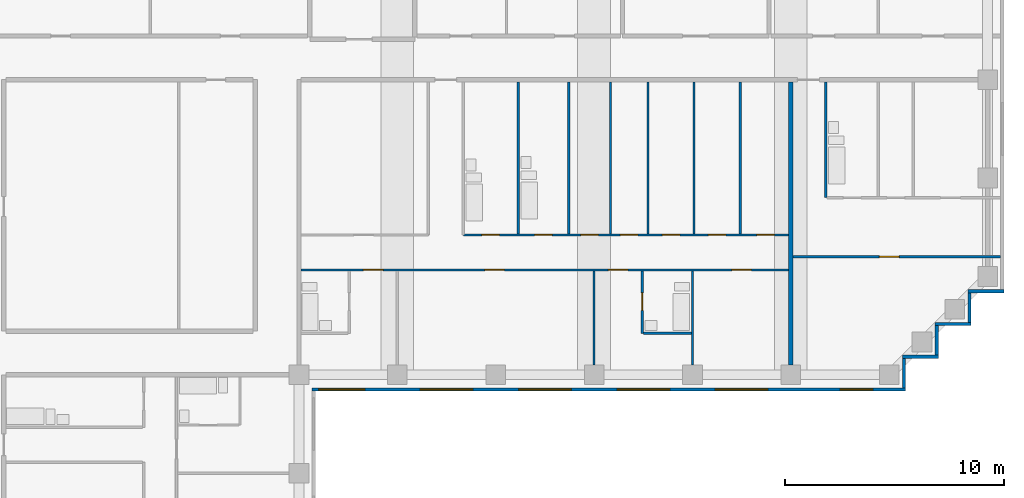
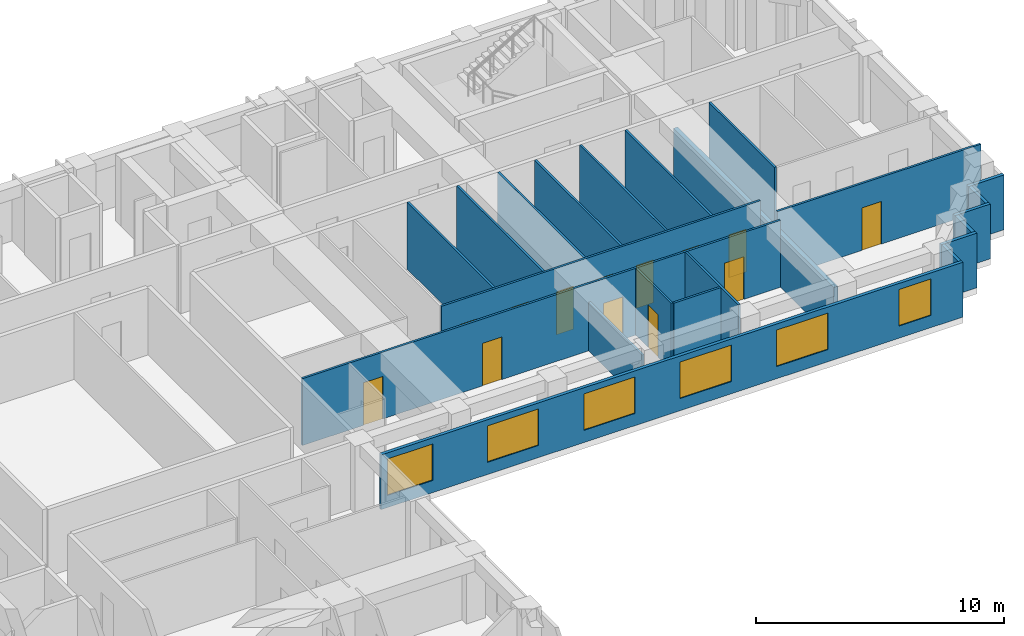
# One storey, part 4 of 9: 22 walls, 13 doors, 6 windows, 19 openings.
"""IFC4 building model written with IfcOpenShell, lengths in metres."""

from ifc_helpers import new_model, si_unit, direction, frame, frame_2d, origin, place, context, subcontext, project, spatial, rectangle, extrude, material, layer, layer_set, type_object, element, fill, save


model = new_model("IFC4")

# Units and contexts
model_context = context("Model", 3, precision=1e-05, world=origin(), true_north=direction((0.0, 1.0)))
body_context = subcontext(model_context, "Body", "Model", "MODEL_VIEW")
ifc_project = project(units=[si_unit("LENGTHUNIT", "METRE"), si_unit("AREAUNIT", "SQUARE_METRE"), si_unit("VOLUMEUNIT", "CUBIC_METRE"), si_unit("PLANEANGLEUNIT", "RADIAN"), si_unit("MASSUNIT", "GRAM", prefix="KILO")], contexts=[model_context])

# Site, building, storey
site_placement = place(None, origin())
site = spatial("IfcSite", under=ifc_project, at=site_placement, CompositionType="ELEMENT")
building_placement = place(site_placement, origin())
building = spatial("IfcBuilding", under=site, at=building_placement, Name="Firuza Court", CompositionType="ELEMENT")
storey_placement = place(building_placement, frame((0.0, 0.0, 225.800048828125)))
storey = spatial("IfcBuildingStorey", under=building, at=storey_placement, Name="L58", CompositionType="ELEMENT", Elevation=225.800048828125)

# Wall, opening, door
ifc_material_1 = material(Name="Moisture-resistant gypsum board partition")
ifc_layer_1 = layer(ifc_material_1, 0.10009765625)
ifc_layer_set_1 = layer_set([ifc_layer_1], Name="Moisture-resistant gypsum board partition")
wall_type_1 = type_object("IfcWallType", Name="Bathroom partition 100", PredefinedType="PLUMBINGWALL", material=ifc_layer_set_1)
wall_1_placement = place(storey_placement, frame((38.199951171875, 37.89990234375, 0.0), z_axis=(0.0, 0.0, 1.0), x_axis=(0.0, 1.0, 0.0)))
wall_1 = element("IfcWall", 1, at=wall_1_placement, inside=storey, type_object=wall_type_1, Name="Bathroom partition 100 L58", PredefinedType="PLUMBINGWALL", context=body_context, shape_type="SweptSolid", body=[
    extrude(rectangle(XDim=2.85009765625, YDim=0.10009765625, at=frame_2d((1.425048828125, 0.0))), origin(), (0.0, 0.0, 1.0), 3.300048828125),
])
opening_1_placement = place(wall_1_placement, frame((1.050048828125, 0.0, 0.0)))
opening_1 = element("IfcOpeningElement", 2, at=opening_1_placement, cuts=wall_1, Name="Opening D58027", PredefinedType="OPENING", context=body_context, shape_type="SweptSolid", body=[
    extrude(rectangle(XDim=0.800048828125, YDim=2.10009765625, at=frame_2d((0.39990234375, 1.050048828125))), frame((0.0, 0.06201171875, 0.0), z_axis=(0.0, -1.0, 0.0), x_axis=(1.0, 0.0, 0.0)), (0.0, 0.0, 1.0), 0.1240234375),
])
ifc_material_2 = material(Name="Timber door leaf in hardwood frame", Category="wood")
door_type_1 = type_object("IfcDoorType", Name="Bathroom door 800", OperationType="SINGLE_SWING_LEFT", PredefinedType="DOOR", material=ifc_material_2)
door_1_placement = place(opening_1_placement, frame((0.800048828125, 0.0, 0.0), z_axis=(0.0, 0.0, 1.0), x_axis=(-1.0, 0.0, 0.0)))
door_1 = element("IfcDoor", 3, at=door_1_placement, inside=storey, type_object=door_type_1, Name="En-suite door", OperationType="SINGLE_SWING_RIGHT", OverallHeight=2.10009765625, OverallWidth=0.800048828125, PredefinedType="DOOR", context=body_context, shape_type="SweptSolid", body=[
    extrude(rectangle(XDim=0.800048828125, YDim=2.10009765625, at=frame_2d((0.39990234375, 1.050048828125))), frame((0.0, 0.02490234375, 0.0), z_axis=(0.0, -1.0, 0.0), x_axis=(1.0, 0.0, 0.0)), (0.0, 0.0, 1.0), 0.050048828125),
])
fill(opening_1, door_1)

# Walls
wall_2_placement = place(storey_placement, frame((38.25, 37.89990234375, 0.0), z_axis=(0.0, 0.0, 1.0), x_axis=(1.0, 0.0, 0.0)))
element("IfcWall", 4, at=wall_2_placement, inside=storey, type_object=wall_type_1, Name="Bathroom partition 100 L58", PredefinedType="PLUMBINGWALL", context=body_context, shape_type="SweptSolid", body=[
    extrude(rectangle(XDim=2.199951171875, YDim=0.10009765625, at=frame_2d((1.10009765625, 0.0))), origin(), (0.0, 0.0, 1.0), 3.300048828125),
])
for number, where, z_axis, x_axis, name in (
    (5, (32.528076171875, 42.449951171875, 0.0), (0.0, 0.0, 1.0), (0.0, 1.0, 0.0), "Bathroom partition 100 L58"),
    (6, (34.840087890625, 42.449951171875, 0.0), (0.0, 0.0, 1.0), (0.0, 1.0, 0.0), "Bathroom partition 100 L58"),
):
    element("IfcWall", number, at=place(storey_placement, frame(where, z_axis=z_axis, x_axis=x_axis)), inside=storey, type_object=wall_type_1, Name=name, PredefinedType="PLUMBINGWALL", context=body_context, shape_type="SweptSolid", body=[
        extrude(rectangle(XDim=6.949951171875, YDim=0.10009765625, at=frame_2d((3.47509765625, 0.0))), origin(), (0.0, 0.0, 1.0), 3.300048828125),
    ])
wall_3_placement = place(storey_placement, frame((46.60009765625, 44.10009765625, 0.0), z_axis=(0.0, 0.0, 1.0), x_axis=(0.0, 1.0, 0.0)))
element("IfcWall", 7, at=wall_3_placement, inside=storey, type_object=wall_type_1, Name="Bathroom partition 100 L58", PredefinedType="PLUMBINGWALL", context=body_context, shape_type="SweptSolid", body=[
    extrude(rectangle(XDim=5.2998046875, YDim=0.10009765625, at=frame_2d((2.64990234375, 0.0))), origin(), (0.0, 0.0, 1.0), 3.300048828125),
])
ifc_material_3 = material(Name="Timber stud partition, plasterboard both sides", Category="wood")
ifc_layer_2 = layer(ifc_material_3, 0.10009765625)
ifc_layer_set_2 = layer_set([ifc_layer_2], Name="Timber stud partition, plasterboard both sides")
wall_type_2 = type_object("IfcWallType", Name="Partition wall 100", PredefinedType="PARTITIONING", material=ifc_layer_set_2)
wall_4_placement = place(storey_placement, frame((36.0, 36.449951171875, 0.0), z_axis=(0.0, 0.0, 1.0), x_axis=(0.0, 1.0, 0.0)))
element("IfcWall", 8, at=wall_4_placement, inside=storey, type_object=wall_type_2, Name="Partition wall 100 L58", PredefinedType="PARTITIONING", context=body_context, shape_type="SweptSolid", body=[
    extrude(rectangle(XDim=4.300048828125, YDim=0.10009765625, at=frame_2d((2.14990234375, 0.0))), origin(), (0.0, 0.0, 1.0), 2.39990234375),
])
wall_5_placement = place(storey_placement, frame((40.5, 36.449951171875, 0.0), z_axis=(0.0, 0.0, 1.0), x_axis=(0.0, 1.0, 0.0)))
element("IfcWall", 9, at=wall_5_placement, inside=storey, type_object=wall_type_2, Name="Partition wall 100 L58", PredefinedType="PARTITIONING", context=body_context, shape_type="SweptSolid", body=[
    extrude(rectangle(XDim=4.300048828125, YDim=0.10009765625, at=frame_2d((2.14990234375, 0.0))), origin(), (0.0, 0.0, 1.0), 3.300048828125),
])

# Wall, openings, doors
wall_6_placement = place(storey_placement, frame((22.60009765625, 40.800048828125, 0.0), z_axis=(0.0, 0.0, 1.0), x_axis=(1.0, 0.0, 0.0)))
wall_6 = element("IfcWall", 10, at=wall_6_placement, inside=storey, type_object=wall_type_2, Name="Partition wall 100 L58", PredefinedType="PARTITIONING", context=body_context, shape_type="SweptSolid", body=[
    extrude(rectangle(XDim=22.2998046875, YDim=0.10009765625, at=frame_2d((11.14990234375, 0.0))), origin(), (0.0, 0.0, 1.0), 3.300048828125),
])
opening_2_placement = place(wall_6_placement, frame((2.85009765625, 0.0, 0.0)))
opening_2 = element("IfcOpeningElement", 11, at=opening_2_placement, cuts=wall_6, Name="Opening D58029", PredefinedType="OPENING", context=body_context, shape_type="SweptSolid", body=[
    extrude(rectangle(XDim=0.89990234375, YDim=2.10009765625, at=frame_2d((0.449951171875, 1.050048828125))), frame((0.0, 0.06201171875, 0.0), z_axis=(0.0, -1.0, 0.0), x_axis=(1.0, 0.0, 0.0)), (0.0, 0.0, 1.0), 0.1240234375),
])
opening_3_placement = place(wall_6_placement, frame((8.39990234375, 0.0, 0.0)))
opening_3 = element("IfcOpeningElement", 12, at=opening_3_placement, cuts=wall_6, Name="Opening D58030", PredefinedType="OPENING", context=body_context, shape_type="SweptSolid", body=[
    extrude(rectangle(XDim=0.89990234375, YDim=2.10009765625, at=frame_2d((0.449951171875, 1.050048828125))), frame((0.0, 0.06201171875, 0.0), z_axis=(0.0, -1.0, 0.0), x_axis=(1.0, 0.0, 0.0)), (0.0, 0.0, 1.0), 0.1240234375),
])
opening_4_placement = place(wall_6_placement, frame((14.050048828125, 0.0, 0.0)))
opening_4 = element("IfcOpeningElement", 13, at=opening_4_placement, cuts=wall_6, Name="Opening D58031", PredefinedType="OPENING", context=body_context, shape_type="SweptSolid", body=[
    extrude(rectangle(XDim=0.89990234375, YDim=2.10009765625, at=frame_2d((0.449951171875, 1.050048828125))), frame((0.0, 0.06201171875, 0.0), z_axis=(0.0, -1.0, 0.0), x_axis=(1.0, 0.0, 0.0)), (0.0, 0.0, 1.0), 0.1240234375),
])
opening_5_placement = place(wall_6_placement, frame((19.699951171875, 0.0, 0.0)))
opening_5 = element("IfcOpeningElement", 14, at=opening_5_placement, cuts=wall_6, Name="Opening D58032", PredefinedType="OPENING", context=body_context, shape_type="SweptSolid", body=[
    extrude(rectangle(XDim=0.89990234375, YDim=2.10009765625, at=frame_2d((0.449951171875, 1.050048828125))), frame((0.0, 0.06201171875, 0.0), z_axis=(0.0, -1.0, 0.0), x_axis=(1.0, 0.0, 0.0)), (0.0, 0.0, 1.0), 0.1240234375),
])
ifc_material_4 = material(Name="Timber door leaf in hardwood frame", Category="wood")
door_type_2 = type_object("IfcDoorType", Name="Room door 900", OperationType="SINGLE_SWING_LEFT", PredefinedType="DOOR", material=ifc_material_4)
door_2_placement = place(opening_2_placement, frame((0.89990234375, 0.0, 0.0), z_axis=(0.0, 0.0, 1.0), x_axis=(-1.0, 0.0, 0.0)))
door_2 = element("IfcDoor", 15, at=door_2_placement, inside=storey, type_object=door_type_2, Name="Bedroom door", OperationType="SINGLE_SWING_RIGHT", OverallHeight=2.10009765625, OverallWidth=0.89990234375, PredefinedType="DOOR", context=body_context, shape_type="SweptSolid", body=[
    extrude(rectangle(XDim=0.89990234375, YDim=2.10009765625, at=frame_2d((0.449951171875, 1.050048828125))), frame((0.0, 0.02490234375, 0.0), z_axis=(0.0, -1.0, 0.0), x_axis=(1.0, 0.0, 0.0)), (0.0, 0.0, 1.0), 0.050048828125),
])
fill(opening_2, door_2)
door_3_placement = place(opening_3_placement, frame((0.89990234375, 0.0, 0.0), z_axis=(0.0, 0.0, 1.0), x_axis=(-1.0, 0.0, 0.0)))
door_3 = element("IfcDoor", 16, at=door_3_placement, inside=storey, type_object=door_type_2, Name="Living room door", OperationType="SINGLE_SWING_RIGHT", OverallHeight=2.10009765625, OverallWidth=0.89990234375, PredefinedType="DOOR", context=body_context, shape_type="SweptSolid", body=[
    extrude(rectangle(XDim=0.89990234375, YDim=2.10009765625, at=frame_2d((0.449951171875, 1.050048828125))), frame((0.0, 0.02490234375, 0.0), z_axis=(0.0, -1.0, 0.0), x_axis=(1.0, 0.0, 0.0)), (0.0, 0.0, 1.0), 0.050048828125),
])
fill(opening_3, door_3)
door_4_placement = place(opening_4_placement, frame((0.89990234375, 0.0, 0.0), z_axis=(0.0, 0.0, 1.0), x_axis=(-1.0, 0.0, 0.0)))
door_4 = element("IfcDoor", 17, at=door_4_placement, inside=storey, type_object=door_type_2, Name="Bedroom door", OperationType="SINGLE_SWING_RIGHT", OverallHeight=2.10009765625, OverallWidth=0.89990234375, PredefinedType="DOOR", context=body_context, shape_type="SweptSolid", body=[
    extrude(rectangle(XDim=0.89990234375, YDim=2.10009765625, at=frame_2d((0.449951171875, 1.050048828125))), frame((0.0, 0.02490234375, 0.0), z_axis=(0.0, -1.0, 0.0), x_axis=(1.0, 0.0, 0.0)), (0.0, 0.0, 1.0), 0.050048828125),
])
fill(opening_4, door_4)
door_5_placement = place(opening_5_placement, frame((0.89990234375, 0.0, 0.0), z_axis=(0.0, 0.0, 1.0), x_axis=(-1.0, 0.0, 0.0)))
door_5 = element("IfcDoor", 18, at=door_5_placement, inside=storey, type_object=door_type_2, Name="Study door", OperationType="SINGLE_SWING_RIGHT", OverallHeight=2.10009765625, OverallWidth=0.89990234375, PredefinedType="DOOR", context=body_context, shape_type="SweptSolid", body=[
    extrude(rectangle(XDim=0.89990234375, YDim=2.10009765625, at=frame_2d((0.449951171875, 1.050048828125))), frame((0.0, 0.02490234375, 0.0), z_axis=(0.0, -1.0, 0.0), x_axis=(1.0, 0.0, 0.0)), (0.0, 0.0, 1.0), 0.050048828125),
])
fill(opening_5, door_5)

# Wall, opening, door
wall_7_placement = place(storey_placement, frame((45.10009765625, 41.39990234375, 0.0), z_axis=(0.0, 0.0, 1.0), x_axis=(1.0, 0.0, 0.0)))
wall_7 = element("IfcWall", 19, at=wall_7_placement, inside=storey, type_object=wall_type_2, Name="Partition wall 100 L58", PredefinedType="PARTITIONING", context=body_context, shape_type="SweptSolid", body=[
    extrude(rectangle(XDim=9.5, YDim=0.10009765625, at=frame_2d((4.75, 0.0))), origin(), (0.0, 0.0, 1.0), 3.300048828125),
])
opening_6_placement = place(wall_7_placement, frame((3.949951171875, 0.0, 0.0)))
opening_6 = element("IfcOpeningElement", 20, at=opening_6_placement, cuts=wall_7, Name="Opening D58033", PredefinedType="OPENING", context=body_context, shape_type="SweptSolid", body=[
    extrude(rectangle(XDim=0.89990234375, YDim=2.10009765625, at=frame_2d((0.449951171875, 1.050048828125))), frame((0.0, 0.06201171875, 0.0), z_axis=(0.0, -1.0, 0.0), x_axis=(1.0, 0.0, 0.0)), (0.0, 0.0, 1.0), 0.1240234375),
])
door_6_placement = place(opening_6_placement, frame((0.89990234375, 0.0, 0.0), z_axis=(0.0, 0.0, 1.0), x_axis=(-1.0, 0.0, 0.0)))
door_6 = element("IfcDoor", 21, at=door_6_placement, inside=storey, type_object=door_type_2, Name="Studio room door", OperationType="SINGLE_SWING_RIGHT", OverallHeight=2.10009765625, OverallWidth=0.89990234375, PredefinedType="DOOR", context=body_context, shape_type="SweptSolid", body=[
    extrude(rectangle(XDim=0.89990234375, YDim=2.10009765625, at=frame_2d((0.449951171875, 1.050048828125))), frame((0.0, 0.02490234375, 0.0), z_axis=(0.0, -1.0, 0.0), x_axis=(1.0, 0.0, 0.0)), (0.0, 0.0, 1.0), 0.050048828125),
])
fill(opening_6, door_6)

# Wall, openings, doors
wall_8_placement = place(storey_placement, frame((30.015380859375, 42.39990234375, 0.0), z_axis=(0.0, 0.0, 1.0), x_axis=(1.0, 0.0, 0.0)))
wall_8 = element("IfcWall", 22, at=wall_8_placement, inside=storey, type_object=wall_type_2, Name="Partition wall 100 L58", PredefinedType="PARTITIONING", context=body_context, shape_type="SweptSolid", body=[
    extrude(rectangle(XDim=14.884521484375, YDim=0.10009765625, at=frame_2d((7.4423828125, 0.0))), origin(), (0.0, 0.0, 1.0), 3.300048828125),
])
opening_7_placement = place(wall_8_placement, frame((0.85595703125, 0.0, 0.0)))
opening_7 = element("IfcOpeningElement", 23, at=opening_7_placement, cuts=wall_8, Name="Opening D58035", PredefinedType="OPENING", context=body_context, shape_type="SweptSolid", body=[
    extrude(rectangle(XDim=0.800048828125, YDim=2.10009765625, at=frame_2d((0.39990234375, 1.050048828125))), frame((0.0, 0.06201171875, 0.0), z_axis=(0.0, -1.0, 0.0), x_axis=(1.0, 0.0, 0.0)), (0.0, 0.0, 1.0), 0.1240234375),
])
opening_8_placement = place(wall_8_placement, frame((3.26806640625, 0.0, 0.0)))
opening_8 = element("IfcOpeningElement", 24, at=opening_8_placement, cuts=wall_8, Name="Opening D58036", PredefinedType="OPENING", context=body_context, shape_type="SweptSolid", body=[
    extrude(rectangle(XDim=0.800048828125, YDim=2.10009765625, at=frame_2d((0.39990234375, 1.050048828125))), frame((0.0, 0.06201171875, 0.0), z_axis=(0.0, -1.0, 0.0), x_axis=(1.0, 0.0, 0.0)), (0.0, 0.0, 1.0), 0.1240234375),
])
opening_9_placement = place(wall_8_placement, frame((13.428466796875, 0.0, 0.0)))
opening_9 = element("IfcOpeningElement", 25, at=opening_9_placement, cuts=wall_8, Name="Opening D58037", PredefinedType="OPENING", context=body_context, shape_type="SweptSolid", body=[
    extrude(rectangle(XDim=0.800048828125, YDim=2.10009765625, at=frame_2d((0.39990234375, 1.050048828125))), frame((0.0, 0.06201171875, 0.0), z_axis=(0.0, -1.0, 0.0), x_axis=(1.0, 0.0, 0.0)), (0.0, 0.0, 1.0), 0.1240234375),
])
opening_10_placement = place(wall_8_placement, frame((11.21630859375, 0.0, 0.0)))
opening_10 = element("IfcOpeningElement", 26, at=opening_10_placement, cuts=wall_8, Name="Opening D58038", PredefinedType="OPENING", context=body_context, shape_type="SweptSolid", body=[
    extrude(rectangle(XDim=0.800048828125, YDim=2.10009765625, at=frame_2d((0.39990234375, 1.050048828125))), frame((0.0, 0.06201171875, 0.0), z_axis=(0.0, -1.0, 0.0), x_axis=(1.0, 0.0, 0.0)), (0.0, 0.0, 1.0), 0.1240234375),
])
opening_11_placement = place(wall_8_placement, frame((7.192138671875, 0.0, 0.0)))
opening_11 = element("IfcOpeningElement", 27, at=opening_11_placement, cuts=wall_8, Name="Opening D58039", PredefinedType="OPENING", context=body_context, shape_type="SweptSolid", body=[
    extrude(rectangle(XDim=0.800048828125, YDim=2.10009765625, at=frame_2d((0.39990234375, 1.050048828125))), frame((0.0, 0.06201171875, 0.0), z_axis=(0.0, -1.0, 0.0), x_axis=(1.0, 0.0, 0.0)), (0.0, 0.0, 1.0), 0.1240234375),
])
opening_12_placement = place(wall_8_placement, frame((9.104248046875, 0.0, 0.0)))
opening_12 = element("IfcOpeningElement", 28, at=opening_12_placement, cuts=wall_8, Name="Opening D58040", PredefinedType="OPENING", context=body_context, shape_type="SweptSolid", body=[
    extrude(rectangle(XDim=0.800048828125, YDim=2.10009765625, at=frame_2d((0.39990234375, 1.050048828125))), frame((0.0, 0.06201171875, 0.0), z_axis=(0.0, -1.0, 0.0), x_axis=(1.0, 0.0, 0.0)), (0.0, 0.0, 1.0), 0.1240234375),
])
opening_13_placement = place(wall_8_placement, frame((5.380126953125, 0.0, 0.0)))
opening_13 = element("IfcOpeningElement", 29, at=opening_13_placement, cuts=wall_8, Name="Opening D58041", PredefinedType="OPENING", context=body_context, shape_type="SweptSolid", body=[
    extrude(rectangle(XDim=0.800048828125, YDim=2.10009765625, at=frame_2d((0.39990234375, 1.050048828125))), frame((0.0, 0.06201171875, 0.0), z_axis=(0.0, -1.0, 0.0), x_axis=(1.0, 0.0, 0.0)), (0.0, 0.0, 1.0), 0.1240234375),
])
door_7_placement = place(opening_7_placement, origin())
door_7 = element("IfcDoor", 30, at=door_7_placement, inside=storey, type_object=door_type_1, Name="Bathroom door", OperationType="SINGLE_SWING_LEFT", OverallHeight=2.10009765625, OverallWidth=0.800048828125, PredefinedType="DOOR", context=body_context, shape_type="SweptSolid", body=[
    extrude(rectangle(XDim=0.800048828125, YDim=2.10009765625, at=frame_2d((0.39990234375, 1.050048828125))), frame((0.0, 0.02490234375, 0.0), z_axis=(0.0, -1.0, 0.0), x_axis=(1.0, 0.0, 0.0)), (0.0, 0.0, 1.0), 0.050048828125),
])
fill(opening_7, door_7)
door_8_placement = place(opening_8_placement, origin())
door_8 = element("IfcDoor", 31, at=door_8_placement, inside=storey, type_object=door_type_1, Name="Bathroom 2 door", OperationType="SINGLE_SWING_LEFT", OverallHeight=2.10009765625, OverallWidth=0.800048828125, PredefinedType="DOOR", context=body_context, shape_type="SweptSolid", body=[
    extrude(rectangle(XDim=0.800048828125, YDim=2.10009765625, at=frame_2d((0.39990234375, 1.050048828125))), frame((0.0, 0.02490234375, 0.0), z_axis=(0.0, -1.0, 0.0), x_axis=(1.0, 0.0, 0.0)), (0.0, 0.0, 1.0), 0.050048828125),
])
fill(opening_8, door_8)
ifc_material_5 = material(Name="Timber door leaf in hardwood frame", Category="wood")
door_type_3 = type_object("IfcDoorType", Name="Room door 800", OperationType="SINGLE_SWING_LEFT", PredefinedType="DOOR", material=ifc_material_5)
door_9_placement = place(opening_9_placement, origin())
door_9 = element("IfcDoor", 32, at=door_9_placement, inside=storey, type_object=door_type_3, Name="Laundry door", OperationType="SINGLE_SWING_LEFT", OverallHeight=2.10009765625, OverallWidth=0.800048828125, PredefinedType="DOOR", context=body_context, shape_type="SweptSolid", body=[
    extrude(rectangle(XDim=0.800048828125, YDim=2.10009765625, at=frame_2d((0.39990234375, 1.050048828125))), frame((0.0, 0.02490234375, 0.0), z_axis=(0.0, -1.0, 0.0), x_axis=(1.0, 0.0, 0.0)), (0.0, 0.0, 1.0), 0.050048828125),
])
fill(opening_9, door_9)
door_10_placement = place(opening_10_placement, origin())
door_10 = element("IfcDoor", 33, at=door_10_placement, inside=storey, type_object=door_type_3, Name="Pantry door", OperationType="SINGLE_SWING_LEFT", OverallHeight=2.10009765625, OverallWidth=0.800048828125, PredefinedType="DOOR", context=body_context, shape_type="SweptSolid", body=[
    extrude(rectangle(XDim=0.800048828125, YDim=2.10009765625, at=frame_2d((0.39990234375, 1.050048828125))), frame((0.0, 0.02490234375, 0.0), z_axis=(0.0, -1.0, 0.0), x_axis=(1.0, 0.0, 0.0)), (0.0, 0.0, 1.0), 0.050048828125),
])
fill(opening_10, door_10)
door_11_placement = place(opening_11_placement, origin())
door_11 = element("IfcDoor", 34, at=door_11_placement, inside=storey, type_object=door_type_3, Name="Store door", OperationType="SINGLE_SWING_LEFT", OverallHeight=2.10009765625, OverallWidth=0.800048828125, PredefinedType="DOOR", context=body_context, shape_type="SweptSolid", body=[
    extrude(rectangle(XDim=0.800048828125, YDim=2.10009765625, at=frame_2d((0.39990234375, 1.050048828125))), frame((0.0, 0.02490234375, 0.0), z_axis=(0.0, -1.0, 0.0), x_axis=(1.0, 0.0, 0.0)), (0.0, 0.0, 1.0), 0.050048828125),
])
fill(opening_11, door_11)
door_12_placement = place(opening_12_placement, origin())
door_12 = element("IfcDoor", 35, at=door_12_placement, inside=storey, type_object=door_type_3, Name="Utility room door", OperationType="SINGLE_SWING_LEFT", OverallHeight=2.10009765625, OverallWidth=0.800048828125, PredefinedType="DOOR", context=body_context, shape_type="SweptSolid", body=[
    extrude(rectangle(XDim=0.800048828125, YDim=2.10009765625, at=frame_2d((0.39990234375, 1.050048828125))), frame((0.0, 0.02490234375, 0.0), z_axis=(0.0, -1.0, 0.0), x_axis=(1.0, 0.0, 0.0)), (0.0, 0.0, 1.0), 0.050048828125),
])
fill(opening_12, door_12)
door_13_placement = place(opening_13_placement, origin())
door_13 = element("IfcDoor", 36, at=door_13_placement, inside=storey, type_object=door_type_3, Name="Walk-in wardrobe door", OperationType="SINGLE_SWING_LEFT", OverallHeight=2.10009765625, OverallWidth=0.800048828125, PredefinedType="DOOR", context=body_context, shape_type="SweptSolid", body=[
    extrude(rectangle(XDim=0.800048828125, YDim=2.10009765625, at=frame_2d((0.39990234375, 1.050048828125))), frame((0.0, 0.02490234375, 0.0), z_axis=(0.0, -1.0, 0.0), x_axis=(1.0, 0.0, 0.0)), (0.0, 0.0, 1.0), 0.050048828125),
])
fill(opening_13, door_13)

# Walls
for number, where, z_axis, x_axis, name in (
    (37, (36.751953125, 42.449951171875, 0.0), (0.0, 0.0, 1.0), (0.0, 1.0, 0.0), "Partition wall 100 L58"),
    (38, (38.464111328125, 42.449951171875, 0.0), (0.0, 0.0, 1.0), (0.0, 1.0, 0.0), "Partition wall 100 L58"),
    (39, (40.575927734375, 42.449951171875, 0.0), (0.0, 0.0, 1.0), (0.0, 1.0, 0.0), "Partition wall 100 L58"),
    (40, (42.68798828125, 42.449951171875, 0.0), (0.0, 0.0, 1.0), (0.0, 1.0, 0.0), "Partition wall 100 L58"),
):
    element("IfcWall", number, at=place(storey_placement, frame(where, z_axis=z_axis, x_axis=x_axis)), inside=storey, type_object=wall_type_2, Name=name, PredefinedType="PARTITIONING", context=body_context, shape_type="SweptSolid", body=[
        extrude(rectangle(XDim=6.949951171875, YDim=0.10009765625, at=frame_2d((3.47509765625, 0.0))), origin(), (0.0, 0.0, 1.0), 3.300048828125),
    ])
ifc_material_6 = material(Name="Blockwork, plastered both sides", Category="masonry")
ifc_layer_3 = layer(ifc_material_6, 0.199951171875)
ifc_layer_set_3 = layer_set([ifc_layer_3], Name="Blockwork, plastered both sides")
wall_type_3 = type_object("IfcWallType", Name="Party wall 200", PredefinedType="PARTITIONING", material=ifc_layer_set_3)
wall_9_placement = place(storey_placement, frame((45.0, 36.449951171875, 0.0), z_axis=(0.0, 0.0, 1.0), x_axis=(0.0, 1.0, 0.0)))
element("IfcWall", 41, at=wall_9_placement, inside=storey, type_object=wall_type_3, Name="Party wall 200 L58", PredefinedType="PARTITIONING", context=body_context, shape_type="SweptSolid", body=[
    extrude(rectangle(XDim=12.949951171875, YDim=0.199951171875, at=frame_2d((6.47509765625, 0.0))), origin(), (0.0, 0.0, 1.0), 2.599853515625),
])

# Wall, openings, windows
ifc_material_7 = material(Name="Ceramic tile", Category="ceramic")
ifc_layer_4 = layer(ifc_material_7, 0.02001953125)
ifc_material_8 = material(Name="Mineral wool insulation", Category="insulation")
ifc_layer_5 = layer(ifc_material_8, 0.050048828125)
ifc_material_9 = material(Name="Concrete C40/50 precast", Category="concrete")
ifc_layer_6 = layer(ifc_material_9, 0.080078125)
ifc_layer_set_4 = layer_set([ifc_layer_4, ifc_layer_5, ifc_layer_6], Name="Concrete C40/50 precast")
wall_type_4 = type_object("IfcWallType", Name="Precast cladding wall with turquoise TILE PANEL face 150", PredefinedType="STANDARD", material=ifc_layer_set_4)
wall_10_placement = place(storey_placement, frame((23.10009765625, 35.324951171875, 0.0), z_axis=(0.0, 0.0, 1.0), x_axis=(1.0, 0.0, 0.0)))
wall_10 = element("IfcWall", 42, at=wall_10_placement, inside=storey, type_object=wall_type_4, Name="Facade wall L58 S", PredefinedType="STANDARD", context=body_context, shape_type="SweptSolid", body=[
    extrude(rectangle(XDim=27.14990234375, YDim=0.14990234375, at=frame_2d((13.574951171875, 0.0))), origin(), (0.0, 0.0, 1.0), 2.699951171875),
])
opening_14_placement = place(wall_10_placement, frame((0.305908203125, 0.0, 0.60009765625)))
opening_14 = element("IfcOpeningElement", 43, at=opening_14_placement, cuts=wall_10, Name="Opening W6", PredefinedType="OPENING", context=body_context, shape_type="SweptSolid", body=[
    extrude(rectangle(XDim=2.10009765625, YDim=1.800048828125, at=frame_2d((1.050048828125, 0.89990234375))), frame((0.0, 0.0869140625, 0.0), z_axis=(0.0, -1.0, 0.0), x_axis=(1.0, 0.0, 0.0)), (0.0, 0.0, 1.0), 0.173828125),
])
opening_15_placement = place(wall_10_placement, frame((4.949951171875, 0.0, 0.60009765625)))
opening_15 = element("IfcOpeningElement", 44, at=opening_15_placement, cuts=wall_10, Name="Opening W1", PredefinedType="OPENING", context=body_context, shape_type="SweptSolid", body=[
    extrude(rectangle(XDim=2.39990234375, YDim=1.800048828125, at=frame_2d((1.199951171875, 0.89990234375))), frame((0.0, 0.0869140625, 0.0), z_axis=(0.0, -1.0, 0.0), x_axis=(1.0, 0.0, 0.0)), (0.0, 0.0, 1.0), 0.173828125),
])
opening_16_placement = place(wall_10_placement, frame((9.449951171875, 0.0, 0.60009765625)))
opening_16 = element("IfcOpeningElement", 45, at=opening_16_placement, cuts=wall_10, Name="Opening W1", PredefinedType="OPENING", context=body_context, shape_type="SweptSolid", body=[
    extrude(rectangle(XDim=2.39990234375, YDim=1.800048828125, at=frame_2d((1.199951171875, 0.89990234375))), frame((0.0, 0.0869140625, 0.0), z_axis=(0.0, -1.0, 0.0), x_axis=(1.0, 0.0, 0.0)), (0.0, 0.0, 1.0), 0.173828125),
])
opening_17_placement = place(wall_10_placement, frame((13.949951171875, 0.0, 0.60009765625)))
opening_17 = element("IfcOpeningElement", 46, at=opening_17_placement, cuts=wall_10, Name="Opening W1", PredefinedType="OPENING", context=body_context, shape_type="SweptSolid", body=[
    extrude(rectangle(XDim=2.39990234375, YDim=1.800048828125, at=frame_2d((1.199951171875, 0.89990234375))), frame((0.0, 0.0869140625, 0.0), z_axis=(0.0, -1.0, 0.0), x_axis=(1.0, 0.0, 0.0)), (0.0, 0.0, 1.0), 0.173828125),
])
opening_18_placement = place(wall_10_placement, frame((18.449951171875, 0.0, 0.60009765625)))
opening_18 = element("IfcOpeningElement", 47, at=opening_18_placement, cuts=wall_10, Name="Opening W1", PredefinedType="OPENING", context=body_context, shape_type="SweptSolid", body=[
    extrude(rectangle(XDim=2.39990234375, YDim=1.800048828125, at=frame_2d((1.199951171875, 0.89990234375))), frame((0.0, 0.0869140625, 0.0), z_axis=(0.0, -1.0, 0.0), x_axis=(1.0, 0.0, 0.0)), (0.0, 0.0, 1.0), 0.173828125),
])
opening_19_placement = place(wall_10_placement, frame((24.1572265625, 0.0, 0.60009765625)))
opening_19 = element("IfcOpeningElement", 48, at=opening_19_placement, cuts=wall_10, Name="Opening W2", PredefinedType="OPENING", context=body_context, shape_type="SweptSolid", body=[
    extrude(rectangle(XDim=1.5, YDim=1.800048828125, at=frame_2d((0.75, 0.89990234375))), frame((0.0, 0.0869140625, 0.0), z_axis=(0.0, -1.0, 0.0), x_axis=(1.0, 0.0, 0.0)), (0.0, 0.0, 1.0), 0.173828125),
])
ifc_material_10 = material(Name="Aluminium frame, triple clear glazing", Category="aluminium")
window_type_1 = type_object("IfcWindowType", Name="Window W1 2400 x 1800", PartitioningType="SINGLE_PANEL", PredefinedType="WINDOW", material=ifc_material_10)
window_1_placement = place(opening_15_placement, origin())
window_1 = element("IfcWindow", 49, at=window_1_placement, inside=storey, type_object=window_type_1, Name="Window L58", OverallHeight=1.800048828125, OverallWidth=2.39990234375, PartitioningType="SINGLE_PANEL", PredefinedType="WINDOW", context=body_context, shape_type="SweptSolid", body=[
    extrude(rectangle(XDim=2.39990234375, YDim=1.800048828125, at=frame_2d((1.199951171875, 0.89990234375))), frame((0.0, 0.030029296875, 0.0), z_axis=(0.0, -1.0, 0.0), x_axis=(1.0, 0.0, 0.0)), (0.0, 0.0, 1.0), 0.06005859375),
])
fill(opening_15, window_1)
window_2_placement = place(opening_16_placement, origin())
window_2 = element("IfcWindow", 50, at=window_2_placement, inside=storey, type_object=window_type_1, Name="Window L58", OverallHeight=1.800048828125, OverallWidth=2.39990234375, PartitioningType="SINGLE_PANEL", PredefinedType="WINDOW", context=body_context, shape_type="SweptSolid", body=[
    extrude(rectangle(XDim=2.39990234375, YDim=1.800048828125, at=frame_2d((1.199951171875, 0.89990234375))), frame((0.0, 0.030029296875, 0.0), z_axis=(0.0, -1.0, 0.0), x_axis=(1.0, 0.0, 0.0)), (0.0, 0.0, 1.0), 0.06005859375),
])
fill(opening_16, window_2)
window_3_placement = place(opening_17_placement, origin())
window_3 = element("IfcWindow", 51, at=window_3_placement, inside=storey, type_object=window_type_1, Name="Window L58", OverallHeight=1.800048828125, OverallWidth=2.39990234375, PartitioningType="SINGLE_PANEL", PredefinedType="WINDOW", context=body_context, shape_type="SweptSolid", body=[
    extrude(rectangle(XDim=2.39990234375, YDim=1.800048828125, at=frame_2d((1.199951171875, 0.89990234375))), frame((0.0, 0.030029296875, 0.0), z_axis=(0.0, -1.0, 0.0), x_axis=(1.0, 0.0, 0.0)), (0.0, 0.0, 1.0), 0.06005859375),
])
fill(opening_17, window_3)
window_4_placement = place(opening_18_placement, origin())
window_4 = element("IfcWindow", 52, at=window_4_placement, inside=storey, type_object=window_type_1, Name="Window L58", OverallHeight=1.800048828125, OverallWidth=2.39990234375, PartitioningType="SINGLE_PANEL", PredefinedType="WINDOW", context=body_context, shape_type="SweptSolid", body=[
    extrude(rectangle(XDim=2.39990234375, YDim=1.800048828125, at=frame_2d((1.199951171875, 0.89990234375))), frame((0.0, 0.030029296875, 0.0), z_axis=(0.0, -1.0, 0.0), x_axis=(1.0, 0.0, 0.0)), (0.0, 0.0, 1.0), 0.06005859375),
])
fill(opening_18, window_4)
ifc_material_11 = material(Name="Aluminium frame, triple clear glazing", Category="aluminium")
window_type_2 = type_object("IfcWindowType", Name="Window W2 1500 x 1800", PartitioningType="SINGLE_PANEL", PredefinedType="WINDOW", material=ifc_material_11)
window_5_placement = place(opening_19_placement, origin())
window_5 = element("IfcWindow", 53, at=window_5_placement, inside=storey, type_object=window_type_2, Name="Window L58", OverallHeight=1.800048828125, OverallWidth=1.5, PartitioningType="SINGLE_PANEL", PredefinedType="WINDOW", context=body_context, shape_type="SweptSolid", body=[
    extrude(rectangle(XDim=1.5, YDim=1.800048828125, at=frame_2d((0.75, 0.89990234375))), frame((0.0, 0.030029296875, 0.0), z_axis=(0.0, -1.0, 0.0), x_axis=(1.0, 0.0, 0.0)), (0.0, 0.0, 1.0), 0.06005859375),
])
fill(opening_19, window_5)
ifc_material_12 = material(Name="Aluminium frame, triple clear glazing", Category="aluminium")
window_type_3 = type_object("IfcWindowType", Name="Window W6 2100 x 1800", PartitioningType="SINGLE_PANEL", PredefinedType="WINDOW", material=ifc_material_12)
window_6_placement = place(opening_14_placement, origin())
window_6 = element("IfcWindow", 54, at=window_6_placement, inside=storey, type_object=window_type_3, Name="Window L58", OverallHeight=1.800048828125, OverallWidth=2.10009765625, PartitioningType="SINGLE_PANEL", PredefinedType="WINDOW", context=body_context, shape_type="SweptSolid", body=[
    extrude(rectangle(XDim=2.10009765625, YDim=1.800048828125, at=frame_2d((1.050048828125, 0.89990234375))), frame((0.0, 0.030029296875, 0.0), z_axis=(0.0, -1.0, 0.0), x_axis=(1.0, 0.0, 0.0)), (0.0, 0.0, 1.0), 0.06005859375),
])
fill(opening_14, window_6)

# Walls
wall_11_placement = place(storey_placement, frame((50.175048828125, 35.39990234375, 0.0), z_axis=(0.0, 0.0, 1.0), x_axis=(0.0, 1.0, 0.0)))
element("IfcWall", 55, at=wall_11_placement, inside=storey, type_object=wall_type_4, Name="Facade wall L58 E", PredefinedType="STANDARD", context=body_context, shape_type="SweptSolid", body=[
    extrude(rectangle(XDim=1.35009765625, YDim=0.14990234375, at=frame_2d((0.675048828125, 0.0))), origin(), (0.0, 0.0, 1.0), 2.699951171875),
])
wall_12_placement = place(storey_placement, frame((50.10009765625, 36.824951171875, 0.0), z_axis=(0.0, 0.0, 1.0), x_axis=(1.0, 0.0, 0.0)))
element("IfcWall", 56, at=wall_12_placement, inside=storey, type_object=wall_type_4, Name="Facade wall L58 S", PredefinedType="STANDARD", context=body_context, shape_type="SweptSolid", body=[
    extrude(rectangle(XDim=1.64990234375, YDim=0.14990234375, at=frame_2d((0.824951171875, 0.0))), origin(), (0.0, 0.0, 1.0), 2.699951171875),
])
wall_13_placement = place(storey_placement, frame((51.675048828125, 36.89990234375, 0.0), z_axis=(0.0, 0.0, 1.0), x_axis=(0.0, 1.0, 0.0)))
element("IfcWall", 57, at=wall_13_placement, inside=storey, type_object=wall_type_4, Name="Facade wall L58 E", PredefinedType="STANDARD", context=body_context, shape_type="SweptSolid", body=[
    extrude(rectangle(XDim=1.35009765625, YDim=0.14990234375, at=frame_2d((0.675048828125, 0.0))), origin(), (0.0, 0.0, 1.0), 2.699951171875),
])
wall_14_placement = place(storey_placement, frame((51.60009765625, 38.324951171875, 0.0), z_axis=(0.0, 0.0, 1.0), x_axis=(1.0, 0.0, 0.0)))
element("IfcWall", 58, at=wall_14_placement, inside=storey, type_object=wall_type_4, Name="Facade wall L58 S", PredefinedType="STANDARD", context=body_context, shape_type="SweptSolid", body=[
    extrude(rectangle(XDim=1.64990234375, YDim=0.14990234375, at=frame_2d((0.824951171875, 0.0))), origin(), (0.0, 0.0, 1.0), 2.699951171875),
])
wall_15_placement = place(storey_placement, frame((53.175048828125, 38.39990234375, 0.0), z_axis=(0.0, 0.0, 1.0), x_axis=(0.0, 1.0, 0.0)))
element("IfcWall", 59, at=wall_15_placement, inside=storey, type_object=wall_type_4, Name="Facade wall L58 E", PredefinedType="STANDARD", context=body_context, shape_type="SweptSolid", body=[
    extrude(rectangle(XDim=1.35009765625, YDim=0.14990234375, at=frame_2d((0.675048828125, 0.0))), origin(), (0.0, 0.0, 1.0), 2.699951171875),
])
wall_16_placement = place(storey_placement, frame((53.10009765625, 39.824951171875, 0.0), z_axis=(0.0, 0.0, 1.0), x_axis=(1.0, 0.0, 0.0)))
element("IfcWall", 60, at=wall_16_placement, inside=storey, type_object=wall_type_4, Name="Facade wall L58 S", PredefinedType="STANDARD", context=body_context, shape_type="SweptSolid", body=[
    extrude(rectangle(XDim=1.64990234375, YDim=0.14990234375, at=frame_2d((0.824951171875, 0.0))), origin(), (0.0, 0.0, 1.0), 2.699951171875),
])

save(model, "model.ifc")
